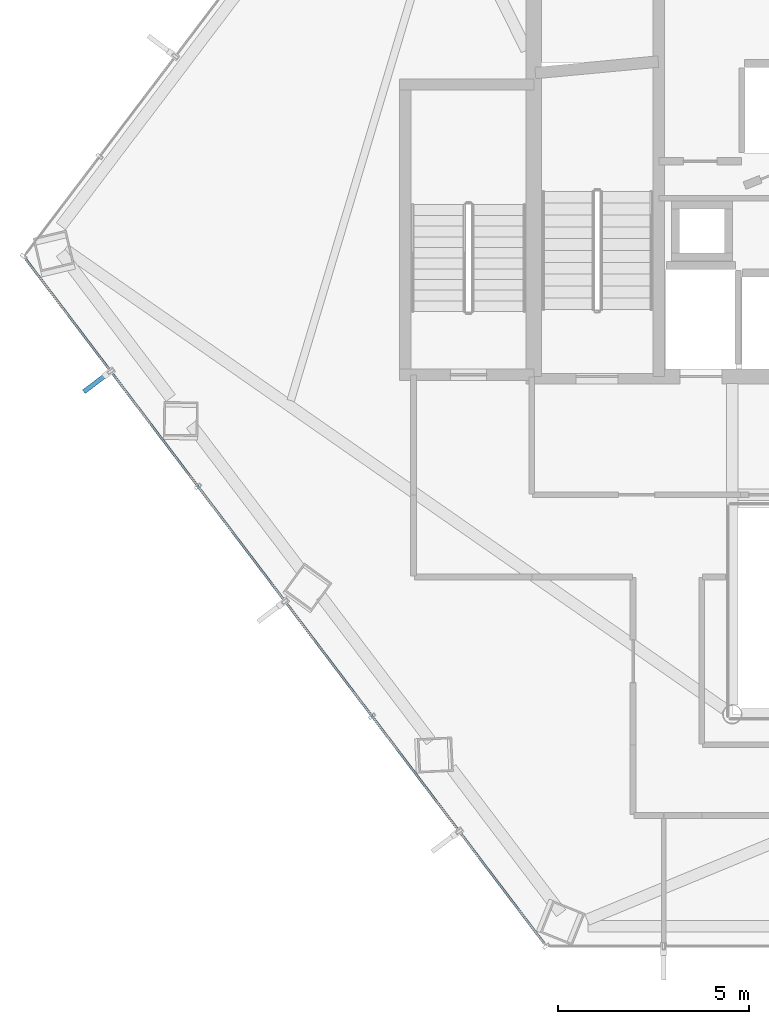
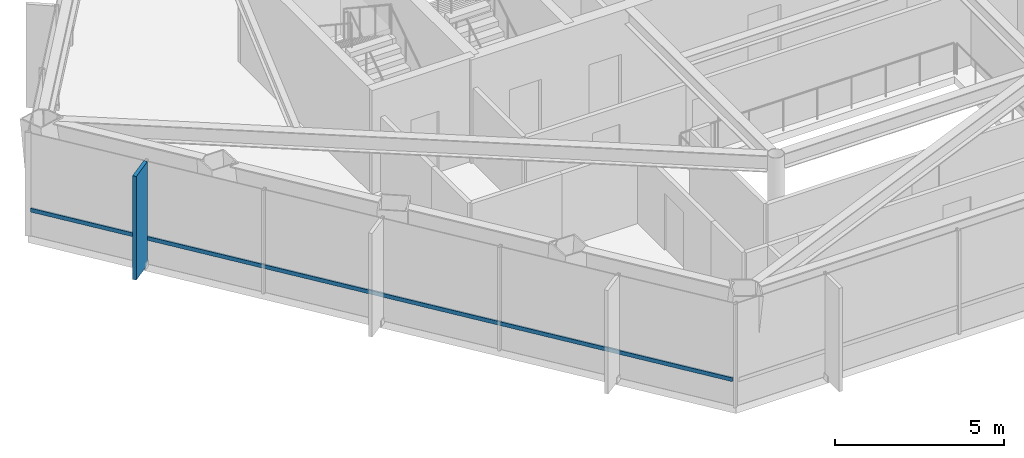
# One storey, part 3 of 25: 2 members, 1 element without a shape of its own.
"""IFC4 building model written with IfcOpenShell, lengths in metres."""

from ifc_helpers import new_model, si_unit, direction, frame, origin, origin_2d, place, context, subcontext, project, spatial, rectangle, hollow_rectangle, extrude, material, layer, layer_set, material_profile, profile_set, type_object, element, aggregate, save


model = new_model("IFC4")

# Units and contexts
model_context = context("Model", 3, precision=1e-05, world=origin(), true_north=direction((0.0, 1.0)))
body_context = subcontext(model_context, "Body", "Model", "MODEL_VIEW")
ifc_project = project(units=[si_unit("LENGTHUNIT", "METRE"), si_unit("AREAUNIT", "SQUARE_METRE"), si_unit("VOLUMEUNIT", "CUBIC_METRE"), si_unit("PLANEANGLEUNIT", "RADIAN"), si_unit("MASSUNIT", "GRAM", prefix="KILO")], contexts=[model_context])

# Site, building, storey
site_placement = place(None, origin())
site = spatial("IfcSite", under=ifc_project, at=site_placement, CompositionType="ELEMENT")
building_placement = place(site_placement, origin())
building = spatial("IfcBuilding", under=site, at=building_placement, Name="Zarrinselat Tower", CompositionType="ELEMENT")
storey_placement = place(building_placement, frame((0.0, 0.0, 105.06005859375)))
storey = spatial("IfcBuildingStorey", under=building, at=storey_placement, Name="L25", CompositionType="ELEMENT", Elevation=105.06005859375)

# Curtain wall, members
ifc_material_1 = material(Name="Extruded Aluminium Alloy EN AW-6063 T6", Category="aluminium")
ifc_layer = layer(ifc_material_1, 0.18505859375)
ifc_layer_set = layer_set([ifc_layer], Name="Extruded Aluminium Alloy EN AW-6063 T6")
curtain_wall_type = type_object("IfcCurtainWallType", Name="CWS-OFF", PredefinedType="NOTDEFINED", material=ifc_layer_set)
curtain_wall_placement = place(storey_placement, origin())
curtain_wall = element("IfcCurtainWall", 1, at=curtain_wall_placement, inside=storey, type_object=curtain_wall_type, Name="L25 Unitised Curtain Wall CW-L25-E03", PredefinedType="NOTDEFINED")
ifc_material_2 = material(Name="Extruded Aluminium Alloy EN AW-6063 T6", Category="aluminium")
ifc_material_profile_1 = material_profile(ifc_material_2, hollow_rectangle(XDim=0.06005859375, YDim=0.139892578125, WallThickness=0.00390625, at=origin_2d()), Name="RHS 140x60x4")
ifc_profile_set_1 = profile_set([ifc_material_profile_1], Name="Extruded Aluminium Alloy EN AW-6063 T6")
member_type_1 = type_object("IfcMemberType", Name="MEM-CW-TRN", PredefinedType="USERDEFINED", material=ifc_profile_set_1)
member_1_placement = place(storey_placement, frame((15.290771484375, 36.32421875, 0.949951171875), z_axis=(0.603857478996, -0.797092306487, 0.0), x_axis=(0.797092306487, 0.603857478996, 0.0)))
member_1 = element("IfcMember", 2, at=member_1_placement, type_object=member_type_1, Name="CW-L25-E03 Transom 1", ObjectType="TRANSOM", PredefinedType="USERDEFINED", context=body_context, shape_type="SweptSolid", body=[
    extrude(hollow_rectangle(XDim=0.06005859375, YDim=0.139892578125, WallThickness=0.00390625, at=origin_2d()), origin(), (0.0, 0.0, 1.0), 22.490478515625),
])
ifc_material_3 = material(Name="Honed Cream Travertine Stone", Category="masonry")
ifc_material_profile_2 = material_profile(ifc_material_3, rectangle(XDim=0.1201171875, YDim=0.85009765625, at=origin_2d()), Name="FIN 850x120")
ifc_profile_set_2 = profile_set([ifc_material_profile_2], Name="Honed Cream Travertine Stone")
member_type_2 = type_object("IfcMemberType", Name="MEM-STONE-FIN", PredefinedType="USERDEFINED", material=ifc_profile_set_2)
member_2_placement = place(storey_placement, frame((17.1513671875, 33.1064453125, 0.0), z_axis=(0.0, 0.0, 1.0), x_axis=(-0.603857772927, 0.797092083812, 0.0)))
member_2 = element("IfcMember", 3, at=member_2_placement, type_object=member_type_2, Name="L25 Stone Shading Fin CW-L25-E03-01", ObjectType="FIN", PredefinedType="USERDEFINED", context=body_context, shape_type="SweptSolid", body=[
    extrude(rectangle(XDim=0.1201171875, YDim=0.85009765625, at=origin_2d()), origin(), (0.0, 0.0, 1.0), 3.72998046875),
])
aggregate(curtain_wall, [member_2, member_1])

save(model, "model.ifc")
